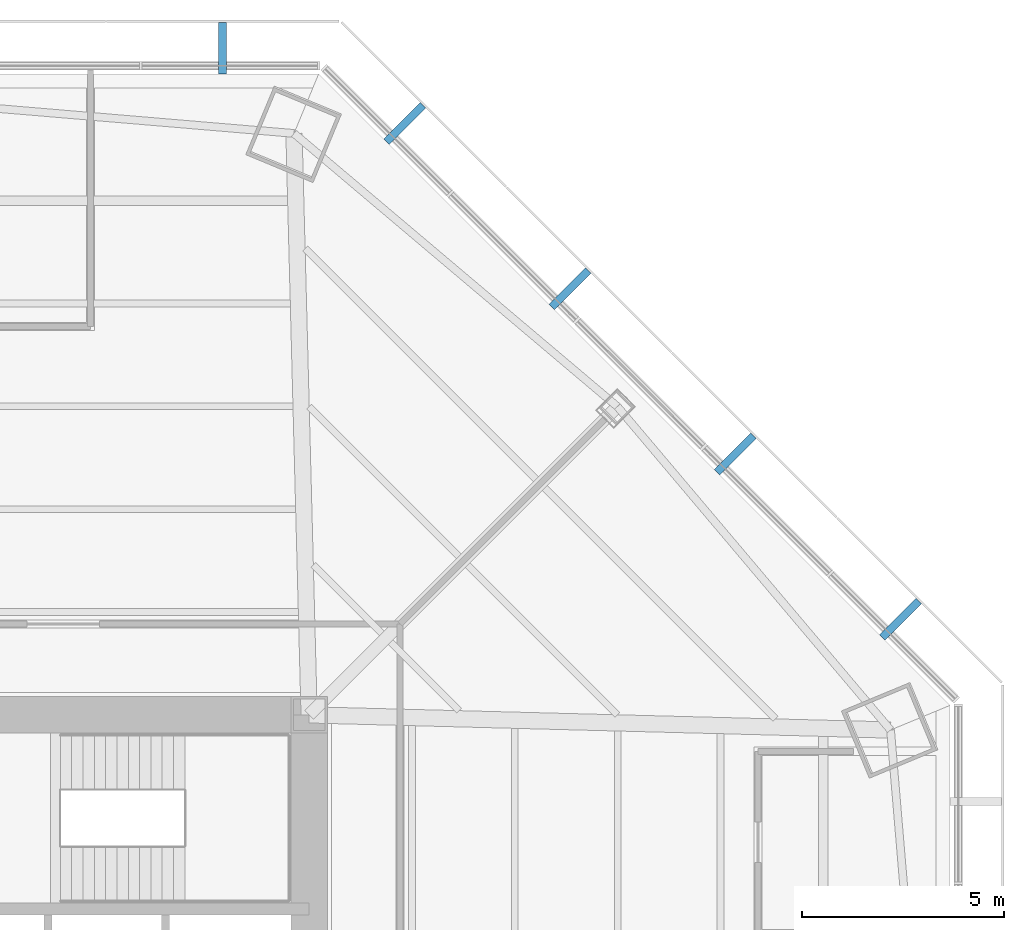
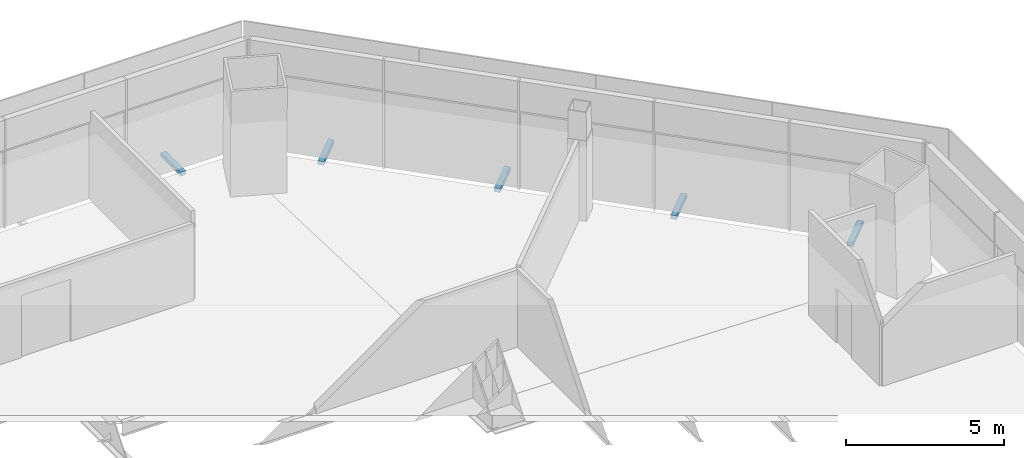
# One storey, part 11 of 14: 5 discrete accessories.
"""IFC4 building model written with IfcOpenShell, lengths in metres."""

import ifcopenshell
import ifcopenshell.guid

model = None  # the IFC model being written
_history = None  # IfcOwnerHistory: only IFC2X3 demands one
_inside = {}  # id of a spatial element -> (the spatial element, [elements in it])
_under = {}  # id of a project, library or spatial element -> (it, [spatial elements below it])
_declared = {}  # id of a project -> (the project, [libraries it declares])
_typed = {}  # id of a type object -> (the type object, [elements of that type])
_made_of = {}  # id of a material, layer set ... -> (it, [elements and type objects made of it])


def new_model(schema):
    """Start an empty IFC model of exactly this schema.

    Asked for "IFC4X3", IfcOpenShell would pick the latest addendum, in which some entities
    have other attributes; the version numbers below select the first issue.
    IFC2X3 requires an IfcOwnerHistory on every rooted entity: one is made here for all.
    """
    global model, _history
    if schema == "IFC4X3":
        model = ifcopenshell.file(schema_version=(4, 3, 0, 0))
    else:
        model = ifcopenshell.file(schema=schema)
    _inside.clear()
    _under.clear()
    _declared.clear()
    _typed.clear()
    _made_of.clear()
    _history = None
    if model.schema == "IFC2X3":
        org = make("IfcOrganization", Name="unknown")
        user = make(
            "IfcPersonAndOrganization",
            ThePerson=make("IfcPerson", FamilyName="unknown"),
            TheOrganization=org,
        )
        app = make(
            "IfcApplication",
            ApplicationDeveloper=org,
            Version="unknown",
            ApplicationFullName="unknown",
            ApplicationIdentifier="unknown",
        )
        _history = make(
            "IfcOwnerHistory",
            OwningUser=user,
            OwningApplication=app,
            ChangeAction="ADDED",
            CreationDate=0,
        )
    return model


def make(cls, **values):
    """One entity of the class cls with the attributes given. An attribute that is None is left unset."""
    return model.create_entity(
        cls, **{name: value for name, value in values.items() if value is not None}
    )


def rooted(cls, **values):
    """An entity with a GlobalId (a new one), such as an element, a storey or a relation."""
    return make(cls, GlobalId=ifcopenshell.guid.new(), OwnerHistory=_history, **values)


def si_unit(unit_type, name, prefix=None):
    """IfcSIUnit, for example si_unit("LENGTHUNIT", "METRE", prefix="MILLI")."""
    return make("IfcSIUnit", UnitType=unit_type, Prefix=prefix, Name=name)


def assignment(units):
    """IfcUnitAssignment: the units of a project."""
    return None if units is None else make("IfcUnitAssignment", Units=units)


def point(xyz):
    """IfcCartesianPoint."""
    return None if xyz is None else make("IfcCartesianPoint", Coordinates=xyz)


def direction(xyz):
    """IfcDirection."""
    return None if xyz is None else make("IfcDirection", DirectionRatios=xyz)


def frame(location, z_axis=None, x_axis=None):
    """IfcAxis2Placement3D, a coordinate frame: its origin and axes. An axis left out is left unset."""
    return make(
        "IfcAxis2Placement3D",
        Location=point(location),
        Axis=direction(z_axis),
        RefDirection=direction(x_axis),
    )


def frame_2d(location, x_axis=None):
    """IfcAxis2Placement2D, a coordinate frame in the plane: its origin and x axis."""
    return make(
        "IfcAxis2Placement2D", Location=point(location), RefDirection=direction(x_axis)
    )


def origin():
    """The frame at (0, 0, 0) with its axes left unset."""
    return frame((0.0, 0.0, 0.0))


def origin_2d():
    """The frame at (0, 0) in the plane with its x axis left unset."""
    return frame_2d((0.0, 0.0))


def place(relative_to, where):
    """IfcLocalPlacement: puts the frame where relative to a parent placement (None: the world)."""
    return make(
        "IfcLocalPlacement", PlacementRelTo=relative_to, RelativePlacement=where
    )


def context(
    kind, dimensions, precision=None, world=None, true_north=None, identifier=None
):
    """IfcGeometricRepresentationContext, for example the 3D "Model" context."""
    return make(
        "IfcGeometricRepresentationContext",
        ContextIdentifier=identifier,
        ContextType=kind,
        CoordinateSpaceDimension=dimensions,
        Precision=precision,
        WorldCoordinateSystem=world,
        TrueNorth=true_north,
    )


def subcontext(parent, identifier, kind, view, scale=None):
    """IfcGeometricRepresentationSubContext, for example "Body" below "Model"."""
    return make(
        "IfcGeometricRepresentationSubContext",
        ContextIdentifier=identifier,
        ContextType=kind,
        ParentContext=parent,
        TargetScale=scale,
        TargetView=view,
    )


def project(units=None, contexts=None):
    """IfcProject with its units and contexts."""
    return rooted(
        "IfcProject",
        Name="project",
        RepresentationContexts=contexts,
        UnitsInContext=assignment(units),
    )


def spatial(cls, under=None, at=None, **own):
    """A site, building, storey or space (cls), placed at a placement, below another one or the project."""
    s = rooted(cls, ObjectPlacement=at, **own)
    if under is not None:
        _under.setdefault(under.id(), (under, []))[1].append(s)
    return s


def profile(cls, at=None, kind="AREA", **sizes):
    """A parametric profile (cls). Its sizes go by their IFC names, for example OverallWidth=200.0."""
    return make(cls, ProfileType=kind, Position=at, **sizes)


def rectangle(**sizes):
    """IfcRectangleProfileDef."""
    return profile("IfcRectangleProfileDef", **sizes)


def extrude(swept, where, along, depth):
    """IfcExtrudedAreaSolid: the profile swept, set in the frame where, extruded along a direction by depth."""
    return make(
        "IfcExtrudedAreaSolid",
        SweptArea=swept,
        Position=where,
        ExtrudedDirection=direction(along),
        Depth=depth,
    )


def shape(context_of_items, identifier, shape_type, items):
    """IfcShapeRepresentation: the items that make up one representation, for example the "Body"."""
    return make(
        "IfcShapeRepresentation",
        ContextOfItems=context_of_items,
        RepresentationIdentifier=identifier,
        RepresentationType=shape_type,
        Items=items,
    )


def source(mapping_origin, context_of_items, identifier, shape_type, items):
    """IfcRepresentationMap: a shape defined once, which mapped items show again and again."""
    return make(
        "IfcRepresentationMap",
        MappingOrigin=mapping_origin,
        MappedRepresentation=shape(context_of_items, identifier, shape_type, items),
    )


def transform(
    local_origin,
    x_axis=None,
    y_axis=None,
    z_axis=None,
    scale=None,
    scale2=None,
    scale3=None,
    uniform=True,
):
    """IfcCartesianTransformationOperator3D, or its non-uniform kind. x_axis, y_axis, z_axis: its Axis1, 2, 3."""
    if uniform:
        return make(
            "IfcCartesianTransformationOperator3D",
            Axis1=direction(x_axis),
            Axis2=direction(y_axis),
            LocalOrigin=point(local_origin),
            Scale=scale,
            Axis3=direction(z_axis),
        )
    return make(
        "IfcCartesianTransformationOperator3DnonUniform",
        Axis1=direction(x_axis),
        Axis2=direction(y_axis),
        LocalOrigin=point(local_origin),
        Scale=scale,
        Axis3=direction(z_axis),
        Scale2=scale2,
        Scale3=scale3,
    )


def mapped(mapping_source, mapping_target):
    """IfcMappedItem: shows the shape of a source again, moved by a transform."""
    return make(
        "IfcMappedItem", MappingSource=mapping_source, MappingTarget=mapping_target
    )


def material(Name=None, Category=None):
    """IfcMaterial."""
    return make("IfcMaterial", Name=Name, Category=Category)


def made_of(thing, what):
    """Note that an element or type object is made of a material, layer set ...; save() writes the relation."""
    if what is not None:
        _made_of.setdefault(what.id(), (what, []))[1].append(thing)
    return thing


def type_object(cls, material=None, **own):
    """A type object (cls), such as IfcWallType, which elements share."""
    return made_of(rooted(cls, **own), material)


def type_shapes(of_type, sources):
    """Give a type object the sources (RepresentationMaps) that its elements show as mapped items."""
    of_type.RepresentationMaps = sources


def element(
    cls,
    number,
    at=None,
    inside=None,
    cuts=None,
    type_object=None,
    material=None,
    context=None,
    identifier="Body",
    shape_type=None,
    held_by="IfcProductDefinitionShape",
    body=None,
    shapes=None,
    **own,
):
    """One element of the class cls, such as IfcWall. Its Tag is "e" and its number.

    at: its placement. inside: the storey or other place that contains it. cuts: it is an
    opening in that element (IfcRelVoidsElement). A single representation is given by context,
    identifier, shape_type and body (its items); several are given by shapes. held_by: the class
    of the entity that holds the representations. save() writes the other relations.
    """
    e = rooted(cls, Tag="e%d" % number, ObjectPlacement=at, **own)
    if body is not None:
        shapes = [shape(context, identifier, shape_type, body)]
    if shapes is not None:
        e.Representation = make(held_by, Representations=shapes)
    if inside is not None:
        _inside.setdefault(inside.id(), (inside, []))[1].append(e)
    if cuts is not None:
        rooted(
            "IfcRelVoidsElement", RelatingBuildingElement=cuts, RelatedOpeningElement=e
        )
    if type_object is not None:
        _typed.setdefault(type_object.id(), (type_object, []))[1].append(e)
    return made_of(e, material)


def aggregate(whole, parts):
    """IfcRelAggregates: a whole, such as a stair, and the parts it consists of."""
    return rooted("IfcRelAggregates", RelatingObject=whole, RelatedObjects=parts)


def save(model, path):
    """Write the relations noted so far, then the file.

    IfcRelAggregates (storeys below a building ...), IfcRelContainedInSpatialStructure (elements
    in a storey), IfcRelDefinesByType, IfcRelAssociatesMaterial and IfcRelDeclares: one each for
    every whole, place, type object, material and project.
    """
    for whole, parts in _under.values():
        aggregate(whole, parts)
    for where, things in _inside.values():
        rooted(
            "IfcRelContainedInSpatialStructure",
            RelatedElements=things,
            RelatingStructure=where,
        )
    for kind, things in _typed.values():
        rooted("IfcRelDefinesByType", RelatedObjects=things, RelatingType=kind)
    for what, things in _made_of.values():
        rooted("IfcRelAssociatesMaterial", RelatedObjects=things, RelatingMaterial=what)
    for by, libraries in _declared.values():
        rooted("IfcRelDeclares", RelatingContext=by, RelatedDefinitions=libraries)
    model.write(path)


model = new_model("IFC4")

# Units and contexts
model_context = context("Model", 3, precision=1e-05, world=origin(), true_north=direction((0.0, 1.0)))
body_context = subcontext(model_context, "Body", "Model", "MODEL_VIEW")
ifc_project = project(units=[si_unit("LENGTHUNIT", "METRE"), si_unit("AREAUNIT", "SQUARE_METRE"), si_unit("VOLUMEUNIT", "CUBIC_METRE"), si_unit("PLANEANGLEUNIT", "RADIAN"), si_unit("MASSUNIT", "GRAM", prefix="KILO")], contexts=[model_context])

# Site, building, storey
site_placement = place(None, origin())
site = spatial("IfcSite", under=ifc_project, at=site_placement, CompositionType="ELEMENT")
building_placement = place(site_placement, origin())
building = spatial("IfcBuilding", under=site, at=building_placement, Name="Mashrafa Tower", CompositionType="ELEMENT")
storey_placement = place(building_placement, frame((0.0, 0.0, 41.39990234375)))
storey = spatial("IfcBuildingStorey", under=building, at=storey_placement, Name="L08", CompositionType="ELEMENT", Elevation=41.39990234375)

# Discrete accessories
ifc_material = material(Name="Stainless steel screen bracket", Category="steel")
discrete_accessory_type = type_object("IfcDiscreteAccessoryType", Name="Screen support bracket 200 x 150", PredefinedType="BRACKET", material=ifc_material)
shared_shape = source(origin(), body_context, "Body", "SweptSolid", [
    extrude(rectangle(XDim=0.199951171875, YDim=1.27001953125, at=origin_2d()), origin(), (0.0, 0.0, 1.0), 0.14990234375),
])
type_shapes(discrete_accessory_type, [shared_shape])
for number, where, z_axis, x_axis, name in (
    (1, (25.415283203125, 13.162353515625, -0.14990234375), (0.0, 0.0, 1.0), (-0.707106781187, 0.707106781187, 0.0), "Screen support bracket L08 north-east 1"),
    (2, (21.3310546875, 17.24658203125, -0.14990234375), (0.0, 0.0, 1.0), (-0.707106781187, 0.707106781187, 0.0), "Screen support bracket L08 north-east 2"),
    (3, (17.24658203125, 21.3310546875, -0.14990234375), (0.0, 0.0, 1.0), (-0.707106781187, 0.707106781187, 0.0), "Screen support bracket L08 north-east 3"),
    (4, (13.162353515625, 25.415283203125, -0.14990234375), (0.0, 0.0, 1.0), (-0.707106781187, 0.707106781187, 0.0), "Screen support bracket L08 north-east 4"),
    (5, (8.6640625, 27.278564453125, -0.14990234375), (0.0, 0.0, 1.0), (-1.0, 0.0, 0.0), "Screen support bracket L08 north 1"),
):
    element("IfcDiscreteAccessory", number, at=place(storey_placement, frame(where, z_axis=z_axis, x_axis=x_axis)), inside=storey, type_object=discrete_accessory_type, Name=name, PredefinedType="BRACKET", context=body_context, shape_type="MappedRepresentation", body=[
        mapped(shared_shape, transform((0.0, 0.0, 0.0))),
    ])

save(model, "model.ifc")
